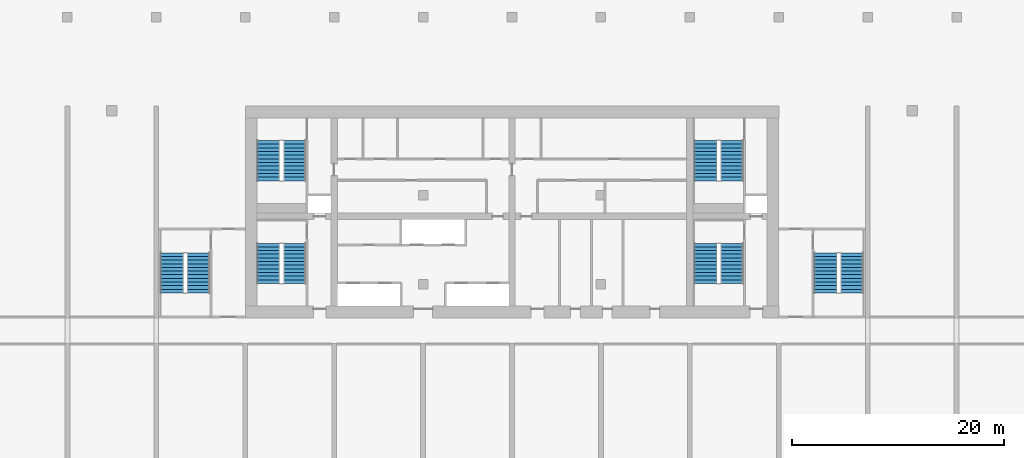
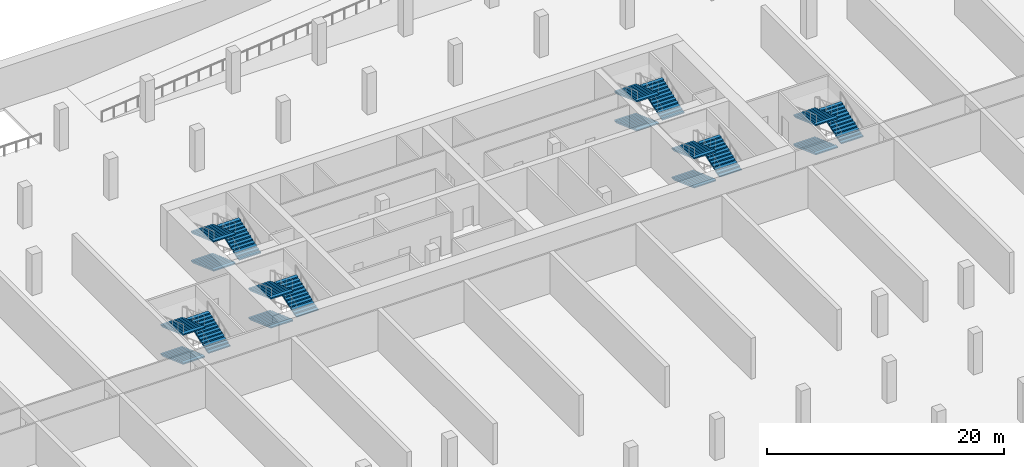
# One storey, part 12 of 13: 18 stair flights, 6 elements without a shape of their own.
"""IFC4 building model written with IfcOpenShell, lengths in metres."""

from ifc_helpers import new_model, si_unit, direction, frame, origin, place, context, subcontext, project, spatial, polyline, outline, extrude, source, transform, mapped, material, type_object, element, aggregate, save


model = new_model("IFC4")

# Units and contexts
model_context = context("Model", 3, precision=1e-05, world=origin(), true_north=direction((0.0, 1.0)))
body_context = subcontext(model_context, "Body", "Model", "MODEL_VIEW")
ifc_project = project(units=[si_unit("LENGTHUNIT", "METRE"), si_unit("AREAUNIT", "SQUARE_METRE"), si_unit("VOLUMEUNIT", "CUBIC_METRE"), si_unit("PLANEANGLEUNIT", "RADIAN"), si_unit("MASSUNIT", "GRAM", prefix="KILO")], contexts=[model_context])

# Site, building, storey
site_placement = place(None, origin())
site = spatial("IfcSite", under=ifc_project, at=site_placement, CompositionType="ELEMENT")
building_placement = place(site_placement, origin())
building = spatial("IfcBuilding", under=site, at=building_placement, Name="Vanashikhar Sky Hotel", CompositionType="ELEMENT")
storey_placement = place(building_placement, frame((0.0, 0.0, -9.0)))
storey = spatial("IfcBuildingStorey", under=building, at=storey_placement, Name="B2", CompositionType="ELEMENT", Elevation=-9.0)

# Stair, stair flights
ifc_material = material(Name="Concrete M40", Category="concrete")
stair_type = type_object("IfcStairType", Name="Exit stair 2150", PredefinedType="DOUBLE_RETURN_STAIR", material=ifc_material)
stair_1_placement = place(storey_placement, origin())
stair_1 = element("IfcStair", 1, at=stair_1_placement, inside=storey, type_object=stair_type, Name="B2 Exit stair 1", PredefinedType="DOUBLE_RETURN_STAIR")
stair_flight_type = type_object("IfcStairFlightType", Name="Stair flight 2150", PredefinedType="STRAIGHT", material=ifc_material)
shared_shape = source(origin(), body_context, "Body", "SweptSolid", [
    extrude(outline(polyline([(0.0, 0.0), (0.0, 0.125), (0.345458984375, 0.125), (0.345458984375, 0.25), (0.69091796875, 0.25), (0.69091796875, 0.375), (1.036376953125, 0.375), (1.036376953125, 0.5), (1.3818359375, 0.5), (1.3818359375, 0.625), (1.727294921875, 0.625), (1.727294921875, 0.75), (2.07275390625, 0.75), (2.07275390625, 0.875), (2.418212890625, 0.875), (2.418212890625, 1.0), (2.763671875, 1.0), (2.763671875, 1.125), (3.109130859375, 1.125), (3.109130859375, 1.25), (3.45458984375, 1.25), (3.45458984375, 1.375), (3.800048828125, 1.375), (3.800048828125, 1.5), (3.800048828125, 1.247314453125), (0.35302734375, 0.0), (0.0, 0.0)])), frame((0.0, 1.074951171875, 0.0), z_axis=(0.0, -1.0, 0.0), x_axis=(1.0, 0.0, 0.0)), (0.0, 0.0, 1.0), 2.14990234375),
])
stair_flight_1_placement = place(storey_placement, frame((27.375, 29.050048828125, 0.0), z_axis=(0.0, 0.0, 1.0), x_axis=(0.0, -1.0, 0.0)))
stair_flight_1 = element("IfcStairFlight", 2, at=stair_flight_1_placement, type_object=stair_flight_type, Name="ST-C1 flight 1", NumberOfRisers=12, NumberOfTreads=11, PredefinedType="STRAIGHT", RiserHeight=0.125, TreadLength=0.345454545, context=body_context, shape_type="MappedRepresentation", body=[
    mapped(shared_shape, transform((0.0, 0.0, 0.0), scale=1.0)),
])
stair_flight_2_placement = place(storey_placement, frame((29.875, 25.25, 1.5), z_axis=(0.0, 0.0, 1.0), x_axis=(0.0, 1.0, 0.0)))
stair_flight_2 = element("IfcStairFlight", 3, at=stair_flight_2_placement, type_object=stair_flight_type, Name="ST-C1 flight 2", NumberOfRisers=12, NumberOfTreads=11, PredefinedType="STRAIGHT", RiserHeight=0.125, TreadLength=0.345454545, context=body_context, shape_type="MappedRepresentation", body=[
    mapped(shared_shape, transform((0.0, 0.0, 0.0), scale=1.0)),
])
stair_flight_3_placement = place(storey_placement, frame((27.375, 29.050048828125, 3.0), z_axis=(0.0, 0.0, 1.0), x_axis=(0.0, -1.0, 0.0)))
stair_flight_3 = element("IfcStairFlight", 4, at=stair_flight_3_placement, type_object=stair_flight_type, Name="ST-C1 flight 3", NumberOfRisers=12, NumberOfTreads=11, PredefinedType="STRAIGHT", RiserHeight=0.125, TreadLength=0.345454545, context=body_context, shape_type="MappedRepresentation", body=[
    mapped(shared_shape, transform((0.0, 0.0, 0.0), scale=1.0)),
])
aggregate(stair_1, [stair_flight_1, stair_flight_2, stair_flight_3])

stair_2_placement = place(storey_placement, origin())
stair_2 = element("IfcStair", 5, at=stair_2_placement, inside=storey, type_object=stair_type, Name="B2 Exit stair 2", PredefinedType="DOUBLE_RETURN_STAIR")
stair_flight_4_placement = place(storey_placement, frame((68.675048828125, 29.050048828125, 0.0), z_axis=(0.0, 0.0, 1.0), x_axis=(0.0, -1.0, 0.0)))
stair_flight_4 = element("IfcStairFlight", 6, at=stair_flight_4_placement, type_object=stair_flight_type, Name="ST-C2 flight 1", NumberOfRisers=12, NumberOfTreads=11, PredefinedType="STRAIGHT", RiserHeight=0.125, TreadLength=0.345454545, context=body_context, shape_type="MappedRepresentation", body=[
    mapped(shared_shape, transform((0.0, 0.0, 0.0), scale=1.0)),
])
stair_flight_5_placement = place(storey_placement, frame((71.175048828125, 25.25, 1.5), z_axis=(0.0, 0.0, 1.0), x_axis=(0.0, 1.0, 0.0)))
stair_flight_5 = element("IfcStairFlight", 7, at=stair_flight_5_placement, type_object=stair_flight_type, Name="ST-C2 flight 2", NumberOfRisers=12, NumberOfTreads=11, PredefinedType="STRAIGHT", RiserHeight=0.125, TreadLength=0.345454545, context=body_context, shape_type="MappedRepresentation", body=[
    mapped(shared_shape, transform((0.0, 0.0, 0.0), scale=1.0)),
])
stair_flight_6_placement = place(storey_placement, frame((68.675048828125, 29.050048828125, 3.0), z_axis=(0.0, 0.0, 1.0), x_axis=(0.0, -1.0, 0.0)))
stair_flight_6 = element("IfcStairFlight", 8, at=stair_flight_6_placement, type_object=stair_flight_type, Name="ST-C2 flight 3", NumberOfRisers=12, NumberOfTreads=11, PredefinedType="STRAIGHT", RiserHeight=0.125, TreadLength=0.345454545, context=body_context, shape_type="MappedRepresentation", body=[
    mapped(shared_shape, transform((0.0, 0.0, 0.0), scale=1.0)),
])
aggregate(stair_2, [stair_flight_4, stair_flight_5, stair_flight_6])

stair_3_placement = place(storey_placement, origin())
stair_3 = element("IfcStair", 9, at=stair_3_placement, inside=storey, type_object=stair_type, Name="B2 Exit stair 3", PredefinedType="DOUBLE_RETURN_STAIR")
stair_flight_7_placement = place(storey_placement, frame((18.27490234375, 28.14990234375, 0.0), z_axis=(0.0, 0.0, 1.0), x_axis=(0.0, -1.0, 0.0)))
stair_flight_7 = element("IfcStairFlight", 10, at=stair_flight_7_placement, type_object=stair_flight_type, Name="ST-W flight 1", NumberOfRisers=12, NumberOfTreads=11, PredefinedType="STRAIGHT", RiserHeight=0.125, TreadLength=0.345454545, context=body_context, shape_type="MappedRepresentation", body=[
    mapped(shared_shape, transform((0.0, 0.0, 0.0), scale=1.0)),
])
stair_flight_8_placement = place(storey_placement, frame((20.77490234375, 24.35009765625, 1.5), z_axis=(0.0, 0.0, 1.0), x_axis=(0.0, 1.0, 0.0)))
stair_flight_8 = element("IfcStairFlight", 11, at=stair_flight_8_placement, type_object=stair_flight_type, Name="ST-W flight 2", NumberOfRisers=12, NumberOfTreads=11, PredefinedType="STRAIGHT", RiserHeight=0.125, TreadLength=0.345454545, context=body_context, shape_type="MappedRepresentation", body=[
    mapped(shared_shape, transform((0.0, 0.0, 0.0), scale=1.0)),
])
stair_flight_9_placement = place(storey_placement, frame((18.27490234375, 28.14990234375, 3.0), z_axis=(0.0, 0.0, 1.0), x_axis=(0.0, -1.0, 0.0)))
stair_flight_9 = element("IfcStairFlight", 12, at=stair_flight_9_placement, type_object=stair_flight_type, Name="ST-W flight 3", NumberOfRisers=12, NumberOfTreads=11, PredefinedType="STRAIGHT", RiserHeight=0.125, TreadLength=0.345454545, context=body_context, shape_type="MappedRepresentation", body=[
    mapped(shared_shape, transform((0.0, 0.0, 0.0), scale=1.0)),
])
aggregate(stair_3, [stair_flight_7, stair_flight_8, stair_flight_9])

stair_4_placement = place(storey_placement, origin())
stair_4 = element("IfcStair", 13, at=stair_4_placement, inside=storey, type_object=stair_type, Name="B2 Exit stair 4", PredefinedType="DOUBLE_RETURN_STAIR")
stair_flight_10_placement = place(storey_placement, frame((80.02490234375, 28.14990234375, 0.0), z_axis=(0.0, 0.0, 1.0), x_axis=(0.0, -1.0, 0.0)))
stair_flight_10 = element("IfcStairFlight", 14, at=stair_flight_10_placement, type_object=stair_flight_type, Name="ST-E flight 1", NumberOfRisers=12, NumberOfTreads=11, PredefinedType="STRAIGHT", RiserHeight=0.125, TreadLength=0.345454545, context=body_context, shape_type="MappedRepresentation", body=[
    mapped(shared_shape, transform((0.0, 0.0, 0.0), scale=1.0)),
])
stair_flight_11_placement = place(storey_placement, frame((82.52490234375, 24.35009765625, 1.5), z_axis=(0.0, 0.0, 1.0), x_axis=(0.0, 1.0, 0.0)))
stair_flight_11 = element("IfcStairFlight", 15, at=stair_flight_11_placement, type_object=stair_flight_type, Name="ST-E flight 2", NumberOfRisers=12, NumberOfTreads=11, PredefinedType="STRAIGHT", RiserHeight=0.125, TreadLength=0.345454545, context=body_context, shape_type="MappedRepresentation", body=[
    mapped(shared_shape, transform((0.0, 0.0, 0.0), scale=1.0)),
])
stair_flight_12_placement = place(storey_placement, frame((80.02490234375, 28.14990234375, 3.0), z_axis=(0.0, 0.0, 1.0), x_axis=(0.0, -1.0, 0.0)))
stair_flight_12 = element("IfcStairFlight", 16, at=stair_flight_12_placement, type_object=stair_flight_type, Name="ST-E flight 3", NumberOfRisers=12, NumberOfTreads=11, PredefinedType="STRAIGHT", RiserHeight=0.125, TreadLength=0.345454545, context=body_context, shape_type="MappedRepresentation", body=[
    mapped(shared_shape, transform((0.0, 0.0, 0.0), scale=1.0)),
])
aggregate(stair_4, [stair_flight_10, stair_flight_11, stair_flight_12])

stair_5_placement = place(storey_placement, origin())
stair_5 = element("IfcStair", 17, at=stair_5_placement, inside=storey, type_object=stair_type, Name="B2 Exit stair 5", PredefinedType="DOUBLE_RETURN_STAIR")
stair_flight_13_placement = place(storey_placement, frame((27.375, 38.75, 0.0), z_axis=(0.0, 0.0, 1.0), x_axis=(0.0, -1.0, 0.0)))
stair_flight_13 = element("IfcStairFlight", 18, at=stair_flight_13_placement, type_object=stair_flight_type, Name="ST-C3 flight 1", NumberOfRisers=12, NumberOfTreads=11, PredefinedType="STRAIGHT", RiserHeight=0.125, TreadLength=0.345454545, context=body_context, shape_type="MappedRepresentation", body=[
    mapped(shared_shape, transform((0.0, 0.0, 0.0), scale=1.0)),
])
stair_flight_14_placement = place(storey_placement, frame((29.875, 34.949951171875, 1.5), z_axis=(0.0, 0.0, 1.0), x_axis=(0.0, 1.0, 0.0)))
stair_flight_14 = element("IfcStairFlight", 19, at=stair_flight_14_placement, type_object=stair_flight_type, Name="ST-C3 flight 2", NumberOfRisers=12, NumberOfTreads=11, PredefinedType="STRAIGHT", RiserHeight=0.125, TreadLength=0.345454545, context=body_context, shape_type="MappedRepresentation", body=[
    mapped(shared_shape, transform((0.0, 0.0, 0.0), scale=1.0)),
])
stair_flight_15_placement = place(storey_placement, frame((27.375, 38.75, 3.0), z_axis=(0.0, 0.0, 1.0), x_axis=(0.0, -1.0, 0.0)))
stair_flight_15 = element("IfcStairFlight", 20, at=stair_flight_15_placement, type_object=stair_flight_type, Name="ST-C3 flight 3", NumberOfRisers=12, NumberOfTreads=11, PredefinedType="STRAIGHT", RiserHeight=0.125, TreadLength=0.345454545, context=body_context, shape_type="MappedRepresentation", body=[
    mapped(shared_shape, transform((0.0, 0.0, 0.0), scale=1.0)),
])
aggregate(stair_5, [stair_flight_13, stair_flight_14, stair_flight_15])

stair_6_placement = place(storey_placement, origin())
stair_6 = element("IfcStair", 21, at=stair_6_placement, inside=storey, type_object=stair_type, Name="B2 Exit stair 6", PredefinedType="DOUBLE_RETURN_STAIR")
stair_flight_16_placement = place(storey_placement, frame((68.675048828125, 38.75, 0.0), z_axis=(0.0, 0.0, 1.0), x_axis=(0.0, -1.0, 0.0)))
stair_flight_16 = element("IfcStairFlight", 22, at=stair_flight_16_placement, type_object=stair_flight_type, Name="ST-C4 flight 1", NumberOfRisers=12, NumberOfTreads=11, PredefinedType="STRAIGHT", RiserHeight=0.125, TreadLength=0.345454545, context=body_context, shape_type="MappedRepresentation", body=[
    mapped(shared_shape, transform((0.0, 0.0, 0.0), scale=1.0)),
])
stair_flight_17_placement = place(storey_placement, frame((71.175048828125, 34.949951171875, 1.5), z_axis=(0.0, 0.0, 1.0), x_axis=(0.0, 1.0, 0.0)))
stair_flight_17 = element("IfcStairFlight", 23, at=stair_flight_17_placement, type_object=stair_flight_type, Name="ST-C4 flight 2", NumberOfRisers=12, NumberOfTreads=11, PredefinedType="STRAIGHT", RiserHeight=0.125, TreadLength=0.345454545, context=body_context, shape_type="MappedRepresentation", body=[
    mapped(shared_shape, transform((0.0, 0.0, 0.0), scale=1.0)),
])
stair_flight_18_placement = place(storey_placement, frame((68.675048828125, 38.75, 3.0), z_axis=(0.0, 0.0, 1.0), x_axis=(0.0, -1.0, 0.0)))
stair_flight_18 = element("IfcStairFlight", 24, at=stair_flight_18_placement, type_object=stair_flight_type, Name="ST-C4 flight 3", NumberOfRisers=12, NumberOfTreads=11, PredefinedType="STRAIGHT", RiserHeight=0.125, TreadLength=0.345454545, context=body_context, shape_type="MappedRepresentation", body=[
    mapped(shared_shape, transform((0.0, 0.0, 0.0), scale=1.0)),
])
aggregate(stair_6, [stair_flight_16, stair_flight_17, stair_flight_18])

save(model, "model.ifc")
